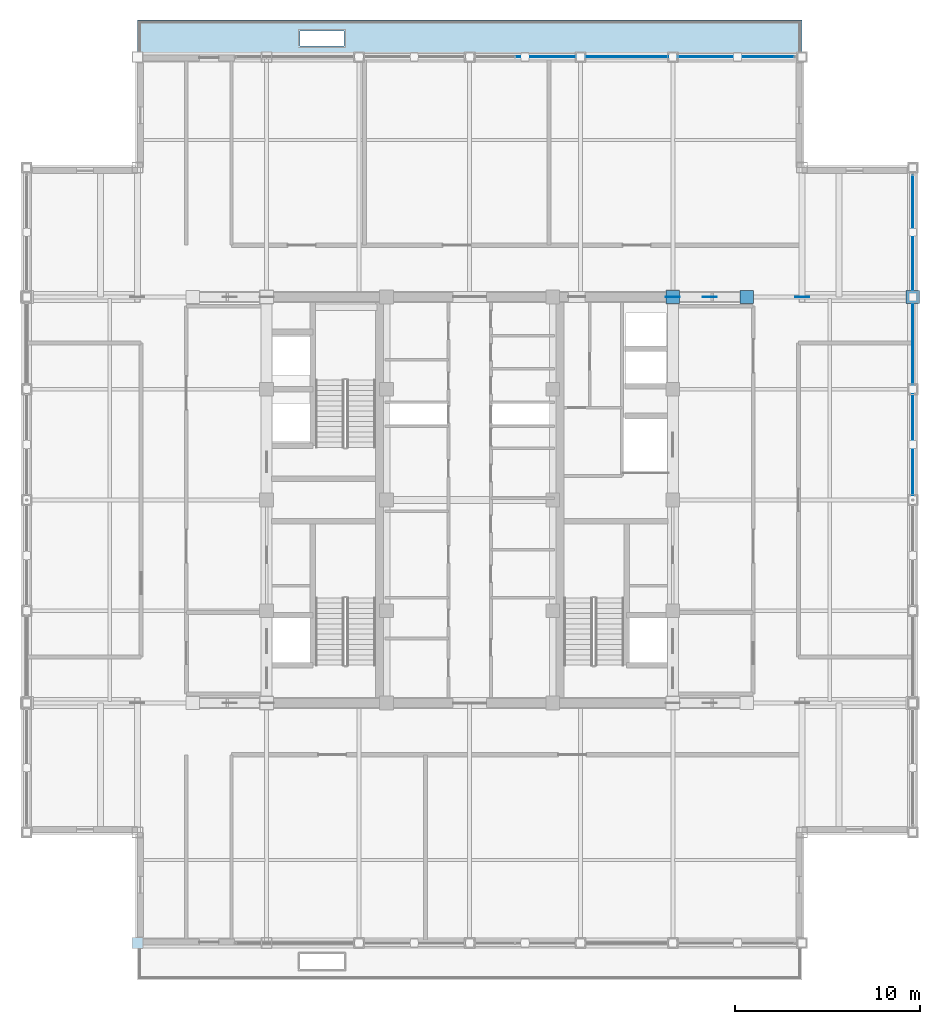
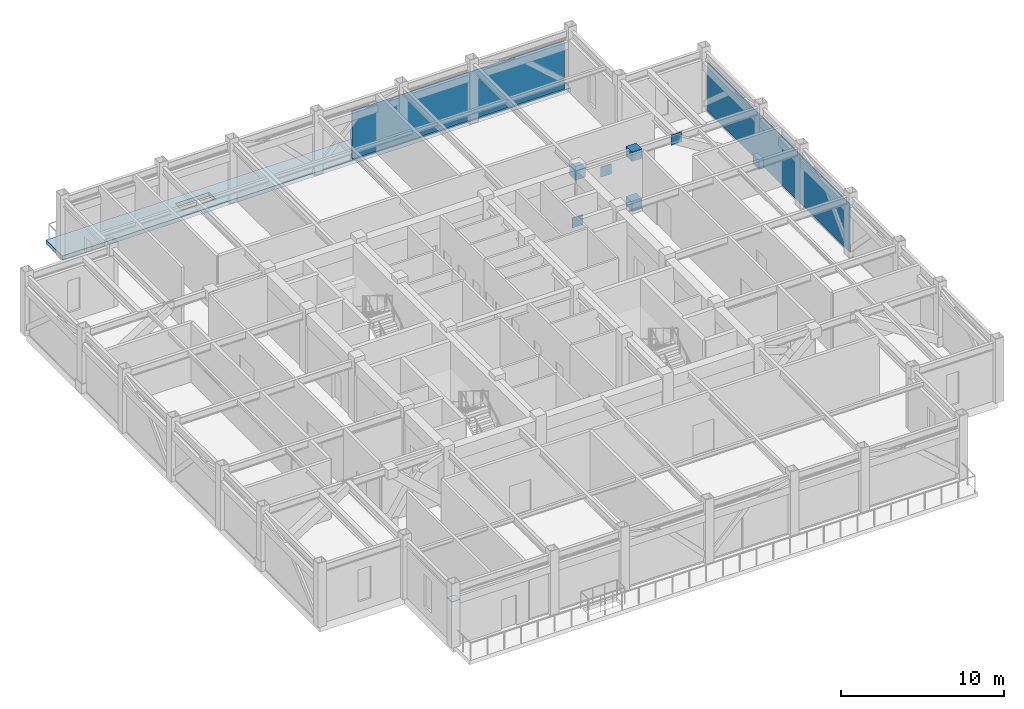
# One storey, part 25 of 32: 10 plates, 1 slab, 2 elements without a shape of their own.
"""IFC4 building model written with IfcOpenShell, lengths in metres."""

from ifc_helpers import new_model, si_unit, direction, frame, origin, origin_2d, place, context, subcontext, project, spatial, polyline, rectangle, outline, extrude, source, transform, mapped, material, layer, layer_set, type_object, element, aggregate, save


model = new_model("IFC4")

# Units and contexts
model_context = context("Model", 3, precision=1e-05, world=origin(), true_north=direction((0.0, 1.0)))
body_context = subcontext(model_context, "Body", "Model", "MODEL_VIEW")
ifc_project = project(units=[si_unit("LENGTHUNIT", "METRE"), si_unit("AREAUNIT", "SQUARE_METRE"), si_unit("VOLUMEUNIT", "CUBIC_METRE"), si_unit("PLANEANGLEUNIT", "RADIAN"), si_unit("MASSUNIT", "GRAM", prefix="KILO")], contexts=[model_context])

# Site, building, storey
site_placement = place(None, origin())
site = spatial("IfcSite", under=ifc_project, at=site_placement, CompositionType="ELEMENT")
building_placement = place(site_placement, origin())
building = spatial("IfcBuilding", under=site, at=building_placement, Name="Khorayat Bourse Tower", CompositionType="ELEMENT")
storey_placement = place(building_placement, frame((0.0, 0.0, 375.5)))
storey = spatial("IfcBuildingStorey", under=building, at=storey_placement, Name="L89", CompositionType="ELEMENT", Elevation=375.5)

# Slab
ifc_material_1 = material(Name="Concrete C40/50", Category="concrete")
ifc_layer_1 = layer(ifc_material_1, 0.300048828125)
ifc_layer_set_1 = layer_set([ifc_layer_1], Name="Concrete C40/50")
slab_type = type_object("IfcSlabType", Name="SLB-TERR-300", PredefinedType="FLOOR", material=ifc_layer_set_1)
slab_placement = place(storey_placement, frame((0.0, 0.0, -0.300048828125)))
element("IfcSlab", 1, at=slab_placement, inside=storey, type_object=slab_type, Name="L89 Planted Garden Terrace Slab 01", PredefinedType="FLOOR", context=body_context, shape_type="SweptSolid", body=[
    extrude(outline(polyline([(-18.0, 24.0), (18.0, 24.0), (18.0, 26.0), (-18.0, 26.0), (-18.0, 24.0)]), holes=[polyline([(-9.199951171875, 24.60009765625), (-6.800048828125, 24.60009765625), (-6.800048828125, 25.39990234375), (-9.199951171875, 25.39990234375), (-9.199951171875, 24.60009765625)])]), origin(), (0.0, 0.0, 1.0), 0.300048828125),
])

# Plates
ifc_material_2 = material(Name="Steel EN 10025-4 S460M", Category="steel")
ifc_layer_2 = layer(ifc_material_2, 0.0400390625)
ifc_layer_set_2 = layer_set([ifc_layer_2], Name="Steel EN 10025-4 S460M")
plate_type_1 = type_object("IfcPlateType", Name="PLT-GUSSET-40", PredefinedType="USERDEFINED", material=ifc_layer_set_2)
shared_shape_1 = source(origin(), body_context, "Body", "SweptSolid", [
    extrude(rectangle(XDim=0.760009765625, YDim=0.0400390625, at=origin_2d()), origin(), (0.0, 0.0, 1.0), 0.760009765625),
])
for number, where, z_axis, x_axis, name in (
    (2, (11.0, 11.0, -0.02978515625), (0.0, 0.0, 1.0), (1.0, 0.0, 0.0), "L89 Outrigger Node Gusset Plate 22"),
    (3, (18.0, 11.0, 3.72021484375), (0.0, 0.0, 1.0), (1.0, 0.0, 0.0), "L89 Outrigger Node Gusset Plate 24"),
    (4, (13.0, 11.0, 3.06982421875), (0.0, 0.0, 1.0), (1.0, 0.0, 0.0), "L89 Outrigger X-Crossing Central Gusset Plate 26"),
):
    element("IfcPlate", number, at=place(storey_placement, frame(where, z_axis=z_axis, x_axis=x_axis)), inside=storey, type_object=plate_type_1, Name=name, ObjectType="GUSSET PLATE", PredefinedType="USERDEFINED", context=body_context, shape_type="MappedRepresentation", body=[
        mapped(shared_shape_1, transform((0.0, 0.0, 0.0), scale=1.0)),
    ])
ifc_layer_3 = layer(ifc_material_2, 0.031982421875)
ifc_layer_set_3 = layer_set([ifc_layer_3], Name="Steel EN 10025-4 S460M")
plate_type_2 = type_object("IfcPlateType", Name="PLT-GUSSET-32", PredefinedType="USERDEFINED", material=ifc_layer_set_3)
shared_shape_2 = source(origin(), body_context, "Body", "SweptSolid", [
    extrude(rectangle(XDim=0.719970703125, YDim=0.719970703125, at=origin_2d()), origin(), (0.0, 0.0, 1.0), 0.719970703125),
])
for number, where, z_axis, x_axis, name in (
    (5, (15.0, 11.0, 3.740234375), (0.0, 0.0, 1.0), (1.0, 0.0, 0.0), "L89 Outrigger Node Gusset Plate 23"),
    (6, (24.0, 11.0, -0.009765625), (0.0, 0.0, 1.0), (1.0, 0.0, 0.0), "L89 Outrigger Node Gusset Plate 25"),
    (7, (11.0, 11.0, 3.740234375), (0.0, 0.0, 1.0), (1.0, 0.0, 0.0), "L89 Belt Web Sealed Node Block 27"),
    (8, (15.0, 11.0, -0.009765625), (0.0, 0.0, 1.0), (1.0, 0.0, 0.0), "L89 Belt Web Sealed Node Block 28"),
):
    element("IfcPlate", number, at=place(storey_placement, frame(where, z_axis=z_axis, x_axis=x_axis)), inside=storey, type_object=plate_type_2, Name=name, ObjectType="GUSSET PLATE", PredefinedType="USERDEFINED", context=body_context, shape_type="MappedRepresentation", body=[
        mapped(shared_shape_2, transform((0.0, 0.0, 0.0), scale=1.0)),
    ])
ifc_material_3 = material(Name="Steel EN 10025-2 S355J2", Category="steel")
ifc_layer_4 = layer(ifc_material_3, 0.02490234375)
ifc_layer_set_4 = layer_set([ifc_layer_4], Name="Steel EN 10025-2 S355J2")
plate_type_3 = type_object("IfcPlateType", Name="PLT-ENDCAP-25", PredefinedType="SHEET", material=ifc_layer_set_4)
shared_shape_3 = source(origin(), body_context, "Body", "SweptSolid", [
    extrude(rectangle(XDim=0.580078125, YDim=0.580078125, at=origin_2d()), origin(), (0.0, 0.0, 1.0), 0.02490234375),
])
plate_1_placement = place(storey_placement, frame((-18.0, -24.0, 3.4375), z_axis=(0.0, 0.0, 1.0), x_axis=(1.0, 0.0, 0.0)))
element("IfcPlate", 9, at=plate_1_placement, inside=storey, type_object=plate_type_3, Name="L89 Belt Truss Endcap Plate 001", PredefinedType="SHEET", context=body_context, shape_type="MappedRepresentation", body=[
    mapped(shared_shape_3, transform((0.0, 0.0, 0.0), scale=1.0)),
])

# Curtain wall, plate
ifc_material_4 = material(Name="Aluminium EN AW-6063 T6", Category="aluminium")
curtain_wall_type = type_object("IfcCurtainWallType", Name="CW-SYS-07", PredefinedType="NOTDEFINED", material=ifc_material_4)
curtain_wall_1_placement = place(storey_placement, origin())
curtain_wall_1 = element("IfcCurtainWall", 10, at=curtain_wall_1_placement, inside=storey, type_object=curtain_wall_type, Name="L89 Curtain Wall CW-L89-N2", PredefinedType="NOTDEFINED")
ifc_material_5 = material(Name="Backlit ceramic-fritted lantern glass", Category="glass")
ifc_layer_5 = layer(ifc_material_5, 0.048095703125)
ifc_layer_set_5 = layer_set([ifc_layer_5], Name="Backlit ceramic-fritted lantern glass")
plate_type_4 = type_object("IfcPlateType", Name="CWP-LANTERN-04", PredefinedType="CURTAIN_PANEL", material=ifc_layer_set_5)
shared_shape_4 = source(origin(), body_context, "Body", "SweptSolid", [
    extrude(rectangle(XDim=15.050048828125, YDim=0.048095703125, at=origin_2d()), origin(), (0.0, 0.0, 1.0), 3.6201171875),
])
plate_2_placement = place(storey_placement, frame((10.02490234375, 24.0, 0.08984375), z_axis=(0.0, 0.0, 1.0), x_axis=(1.0, 0.0, 0.0)))
plate_2 = element("IfcPlate", 11, at=plate_2_placement, type_object=plate_type_4, Name="CW-L89-N2 Vision Panel 2-1", PredefinedType="CURTAIN_PANEL", context=body_context, shape_type="MappedRepresentation", body=[
    mapped(shared_shape_4, transform((0.0, 0.0, 0.0), scale=1.0)),
])
aggregate(curtain_wall_1, [plate_2])

curtain_wall_2_placement = place(storey_placement, origin())
curtain_wall_2 = element("IfcCurtainWall", 12, at=curtain_wall_2_placement, inside=storey, type_object=curtain_wall_type, Name="L89 Curtain Wall CW-L89-E1", PredefinedType="NOTDEFINED")
shared_shape_5 = source(origin(), body_context, "Body", "SweptSolid", [
    extrude(rectangle(XDim=17.5, YDim=0.048095703125, at=origin_2d()), origin(), (0.0, 0.0, 1.0), 3.6201171875),
])
plate_3_placement = place(storey_placement, frame((24.0, 8.800048828125, 0.08984375), z_axis=(0.0, 0.0, 1.0), x_axis=(0.0, 1.0, 0.0)))
plate_3 = element("IfcPlate", 13, at=plate_3_placement, type_object=plate_type_4, Name="CW-L89-E1 Vision Panel 2-1", PredefinedType="CURTAIN_PANEL", context=body_context, shape_type="MappedRepresentation", body=[
    mapped(shared_shape_5, transform((0.0, 0.0, 0.0), scale=1.0)),
])
aggregate(curtain_wall_2, [plate_3])

save(model, "model.ifc")
